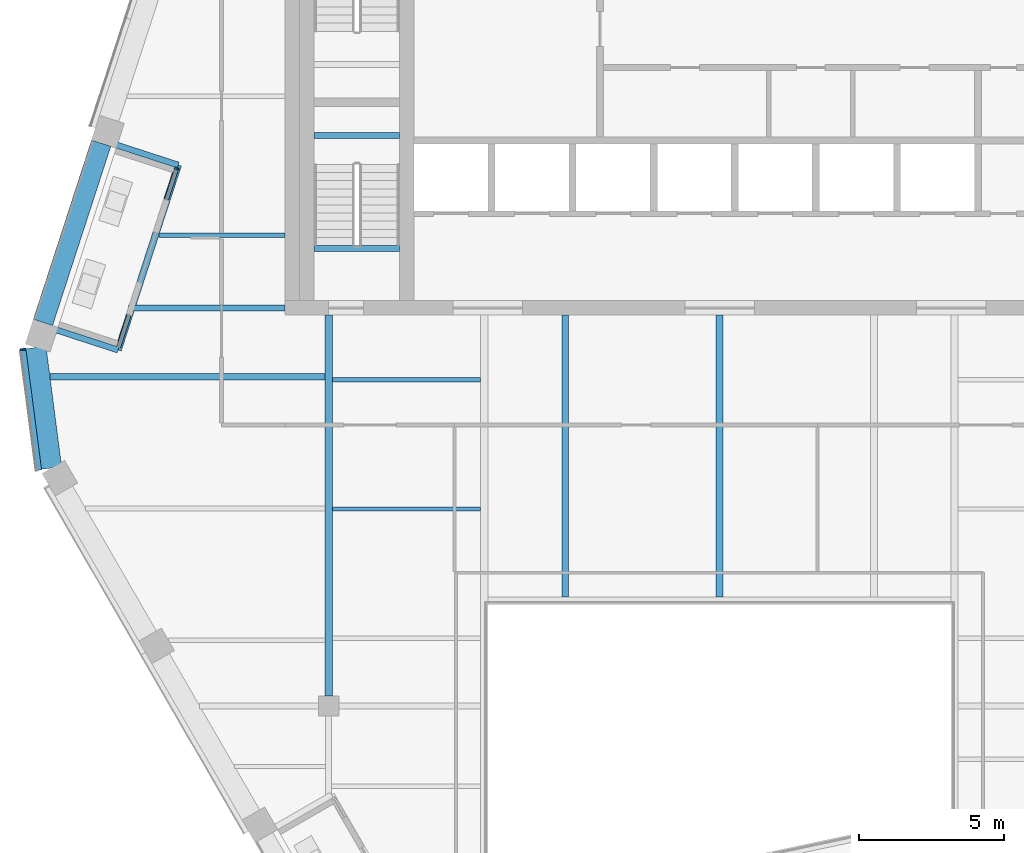
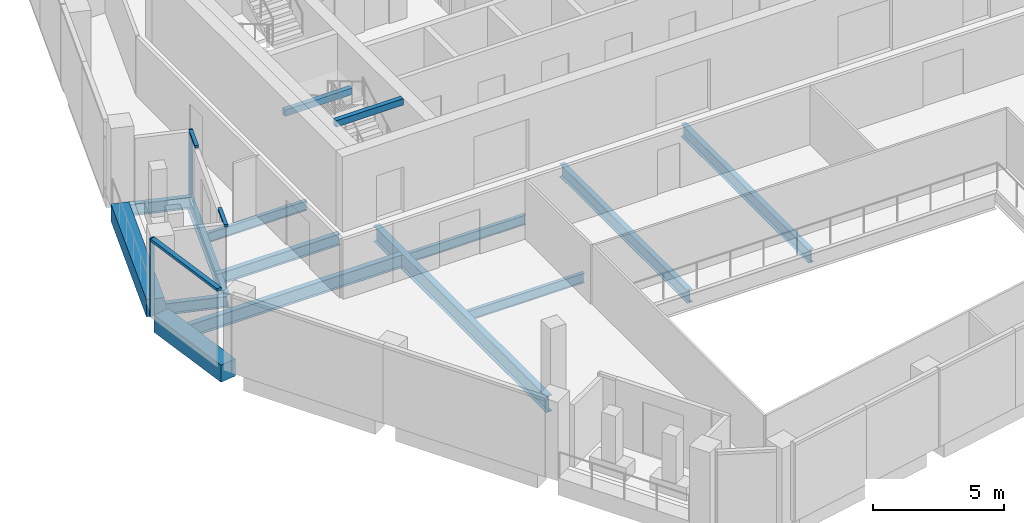
# One storey, part 4 of 20: 15 beams, 5 members, 2 elements without a shape of their own.
"""IFC4 building model written with IfcOpenShell, lengths in metres."""

from ifc_helpers import new_model, si_unit, direction, frame, origin, origin_2d, place, context, subcontext, project, spatial, rectangle, i_section, extrude, material, layer, layer_set, material_profile, profile_set, type_object, element, aggregate, save


model = new_model("IFC4")

# Units and contexts
model_context = context("Model", 3, precision=1e-05, world=origin(), true_north=direction((0.0, 1.0)))
body_context = subcontext(model_context, "Body", "Model", "MODEL_VIEW")
ifc_project = project(units=[si_unit("LENGTHUNIT", "METRE"), si_unit("AREAUNIT", "SQUARE_METRE"), si_unit("VOLUMEUNIT", "CUBIC_METRE"), si_unit("PLANEANGLEUNIT", "RADIAN"), si_unit("MASSUNIT", "GRAM", prefix="KILO")], contexts=[model_context])

# Site, building, storey
site_placement = place(None, origin())
site = spatial("IfcSite", under=ifc_project, at=site_placement, CompositionType="ELEMENT")
building_placement = place(site_placement, origin())
building = spatial("IfcBuilding", under=site, at=building_placement, Name="Isthmus Gate Tower", CompositionType="ELEMENT")
storey_placement = place(building_placement, frame((0.0, 0.0, 279.199951171875)))
storey = spatial("IfcBuildingStorey", under=building, at=storey_placement, Name="L71", CompositionType="ELEMENT", Elevation=279.199951171875)

# Curtain wall, members
ifc_material_1 = material(Name="Aluminium, pale champagne anodised", Category="aluminium")
ifc_layer_1 = layer(ifc_material_1, 0.199951171875)
ifc_layer_set_1 = layer_set([ifc_layer_1], Name="CW-1 UNITISED CURTAIN WALL 200 DEEP")
curtain_wall_type_1 = type_object("IfcCurtainWallType", Name="CW-1 UNITISED CURTAIN WALL 200 DEEP", PredefinedType="NOTDEFINED", material=ifc_layer_set_1)
curtain_wall_1_placement = place(storey_placement, origin())
curtain_wall_1 = element("IfcCurtainWall", 1, at=curtain_wall_1_placement, inside=storey, type_object=curtain_wall_type_1, Name="CW-1 NW-SW L71", PredefinedType="NOTDEFINED")
ifc_material_2 = material(Name="Aluminium, pale champagne anodised", Category="aluminium")
ifc_material_profile_1 = material_profile(ifc_material_2, rectangle(XDim=0.06005859375, YDim=0.199951171875, at=origin_2d()), Name="60x200")
ifc_profile_set_1 = profile_set([ifc_material_profile_1], Name="Aluminium, pale champagne anodised")
member_type_1 = type_object("IfcMemberType", Name="CW-1 MULLION 60 X 200", PredefinedType="MULLION", material=ifc_profile_set_1)
member_1_placement = place(storey_placement, frame((-24.0576171875, -1.18603515625, 0.0), z_axis=(0.0, 0.0, 1.0), x_axis=(0.129164534, -0.991623175988, 0.0)))
member_1 = element("IfcMember", 2, at=member_1_placement, type_object=member_type_1, Name="CW-1 mullion", PredefinedType="MULLION", context=body_context, shape_type="SweptSolid", body=[
    extrude(rectangle(XDim=0.06005859375, YDim=0.199951171875, at=origin_2d()), origin(), (0.0, 0.0, 1.0), 3.650146484375),
])
ifc_material_3 = material(Name="Aluminium, pale champagne anodised", Category="aluminium")
ifc_material_profile_2 = material_profile(ifc_material_3, rectangle(XDim=0.199951171875, YDim=0.1298828125, at=origin_2d()), Name="200x130")
ifc_profile_set_2 = profile_set([ifc_material_profile_2], Name="Aluminium, pale champagne anodised")
member_type_2 = type_object("IfcMemberType", Name="CW-1 TRANSOM 200 X 130", PredefinedType="USERDEFINED", material=ifc_profile_set_2)
member_2_placement = place(storey_placement, frame((-24.0537109375, -1.215576171875, 3.5849609375), z_axis=(0.129149481977, -0.991625136483, 0.0), x_axis=(0.991625136483, 0.129149481977, 0.0)))
member_2 = element("IfcMember", 3, at=member_2_placement, type_object=member_type_2, Name="CW-1 transom", ObjectType="TRANSOM", PredefinedType="USERDEFINED", context=body_context, shape_type="SweptSolid", body=[
    extrude(rectangle(XDim=0.199951171875, YDim=0.1298828125, at=origin_2d()), origin(), (0.0, 0.0, 1.0), 4.181396484375),
])
aggregate(curtain_wall_1, [member_1, member_2])

ifc_material_4 = material(Name="Aluminium, pale champagne anodised", Category="aluminium")
ifc_layer_2 = layer(ifc_material_4, 0.14990234375)
ifc_layer_set_2 = layer_set([ifc_layer_2], Name="CW-6 LOGGIA BACK WALL GLAZING 150 DEEP")
curtain_wall_type_2 = type_object("IfcCurtainWallType", Name="CW-6 LOGGIA BACK WALL GLAZING 150 DEEP", PredefinedType="NOTDEFINED", material=ifc_layer_set_2)
curtain_wall_2_placement = place(storey_placement, origin())
curtain_wall_2 = element("IfcCurtainWall", 4, at=curtain_wall_2_placement, inside=storey, type_object=curtain_wall_type_2, Name="CW-6 NW L71", PredefinedType="NOTDEFINED")
ifc_material_5 = material(Name="Aluminium, pale champagne anodised", Category="aluminium")
ifc_material_profile_3 = material_profile(ifc_material_5, rectangle(XDim=0.06005859375, YDim=0.14990234375, at=origin_2d()), Name="60x150")
ifc_profile_set_3 = profile_set([ifc_material_profile_3], Name="Aluminium, pale champagne anodised")
member_type_3 = type_object("IfcMemberType", Name="CW-6 MULLION 60 X 150", PredefinedType="MULLION", material=ifc_profile_set_3)
member_3_placement = place(storey_placement, frame((-18.7529296875, 5.055908203125, 0.0), z_axis=(0.0, 0.0, 1.0), x_axis=(-0.309016994375, -0.951056516295, 0.0)))
member_3 = element("IfcMember", 5, at=member_3_placement, type_object=member_type_3, Name="CW-6 mullion", PredefinedType="MULLION", context=body_context, shape_type="SweptSolid", body=[
    extrude(rectangle(XDim=0.06005859375, YDim=0.14990234375, at=origin_2d()), origin(), (0.0, 0.0, 1.0), 3.050048828125),
])
ifc_material_6 = material(Name="Aluminium, pale champagne anodised", Category="aluminium")
ifc_material_profile_4 = material_profile(ifc_material_6, rectangle(XDim=0.14990234375, YDim=0.1201171875, at=origin_2d()), Name="150x120")
ifc_profile_set_4 = profile_set([ifc_material_profile_4], Name="Aluminium, pale champagne anodised")
member_type_4 = type_object("IfcMemberType", Name="CW-6 TRANSOM 150 X 120", PredefinedType="USERDEFINED", material=ifc_profile_set_4)
member_4_placement = place(storey_placement, frame((-18.76220703125, 5.02734375, 2.989990234375), z_axis=(-0.309050727458, -0.951045555091, 0.0), x_axis=(0.951045555091, -0.309050727458, 0.0)))
member_4 = element("IfcMember", 6, at=member_4_placement, type_object=member_type_4, Name="CW-6 transom", ObjectType="TRANSOM", PredefinedType="USERDEFINED", context=body_context, shape_type="SweptSolid", body=[
    extrude(rectangle(XDim=0.14990234375, YDim=0.1201171875, at=origin_2d()), origin(), (0.0, 0.0, 1.0), 1.09326171875),
])
member_5_placement = place(storey_placement, frame((-20.39794921875, -0.0068359375, 2.989990234375), z_axis=(-0.30904299549, -0.951048067628, 0.0), x_axis=(0.951048067628, -0.30904299549, 0.0)))
member_5 = element("IfcMember", 7, at=member_5_placement, type_object=member_type_4, Name="CW-6 transom", ObjectType="TRANSOM", PredefinedType="USERDEFINED", context=body_context, shape_type="SweptSolid", body=[
    extrude(rectangle(XDim=0.14990234375, YDim=0.1201171875, at=origin_2d()), origin(), (0.0, 0.0, 1.0), 1.1533203125),
])
aggregate(curtain_wall_2, [member_3, member_4, member_5])

# Beams
ifc_material_7 = material(Name="Concrete f'c 50 MPa", Category="concrete")
ifc_material_profile_5 = material_profile(ifc_material_7, rectangle(XDim=0.699951171875, YDim=0.800048828125, at=origin_2d()), Name="RC 700X800")
ifc_profile_set_5 = profile_set([ifc_material_profile_5], Name="Concrete f'c 50 MPa")
beam_type_1 = type_object("IfcBeamType", Name="RC SPANDREL 700 X 800", PredefinedType="SPANDREL", material=ifc_profile_set_5)
beam_1_placement = place(storey_placement, frame((-23.070068359375, -5.283447265625, -0.39990234375), z_axis=(-0.129137748309, 0.991626664608, 0.0), x_axis=(-0.991626664608, -0.129137748309, 0.0)))
element("IfcBeam", 8, at=beam_1_placement, inside=storey, type_object=beam_type_1, Name="str-spandrel-L71-16", PredefinedType="SPANDREL", context=body_context, shape_type="SweptSolid", body=[
    extrude(rectangle(XDim=0.699951171875, YDim=0.800048828125, at=origin_2d()), origin(), (0.0, 0.0, 1.0), 4.197021484375),
])
beam_2_placement = place(storey_placement, frame((-23.36962890625, -0.254150390625, -0.39990234375), z_axis=(0.30901480678, 0.951057227085, 0.0), x_axis=(-0.951057227085, 0.30901480678, 0.0)))
element("IfcBeam", 9, at=beam_2_placement, inside=storey, type_object=beam_type_1, Name="str-spandrel-L71-17", PredefinedType="SPANDREL", context=body_context, shape_type="SweptSolid", body=[
    extrude(rectangle(XDim=0.699951171875, YDim=0.800048828125, at=origin_2d()), origin(), (0.0, 0.0, 1.0), 6.5068359375),
])
ifc_material_8 = material(Name="Concrete f'c 40 MPa", Category="concrete")
ifc_material_profile_6 = material_profile(ifc_material_8, rectangle(XDim=0.199951171875, YDim=0.300048828125, at=origin_2d()), Name="STAIR LANDING BEAM RC 200 X 300")
ifc_profile_set_6 = profile_set([ifc_material_profile_6], Name="Concrete f'c 40 MPa")
beam_type_2 = type_object("IfcBeamType", Name="STAIR LANDING BEAM RC 200 X 300", PredefinedType="BEAM", material=ifc_profile_set_6)
for number, where, z_axis, x_axis, name in (
    (10, (-14.0, 6.199951171875, 1.47509765625), (1.0, 0.0, 0.0), (0.0, 1.0, 0.0), "L71 ST7 landing beam 1"),
    (11, (-14.0, 2.2998046875, 3.35009765625), (1.0, 0.0, 0.0), (0.0, 1.0, 0.0), "L71 ST7 floor-edge seat beam"),
):
    element("IfcBeam", number, at=place(storey_placement, frame(where, z_axis=z_axis, x_axis=x_axis)), inside=storey, type_object=beam_type_2, Name=name, PredefinedType="BEAM", context=body_context, shape_type="SweptSolid", body=[
        extrude(rectangle(XDim=0.199951171875, YDim=0.300048828125, at=origin_2d()), origin(), (0.0, 0.0, 1.0), 2.949951171875),
    ])
ifc_material_9 = material(Name="Structural steel ASTM A992 Gr 50", Category="steel")
ifc_material_profile_7 = material_profile(ifc_material_9, i_section(OverallWidth=0.15234375, OverallDepth=0.45068359375, WebThickness=0.0078125, FlangeThickness=0.010986328125, at=origin_2d()), Name="W18X35")
ifc_profile_set_7 = profile_set([ifc_material_profile_7], Name="Structural steel ASTM A992 Gr 50")
beam_type_3 = type_object("IfcBeamType", Name="STEEL FLOOR BEAM W18X35", PredefinedType="JOIST", material=ifc_profile_set_7)
beam_3_placement = place(storey_placement, frame((-19.365478515625, 2.75390625, -0.375244140625), z_axis=(1.0, 0.0, 0.0), x_axis=(0.0, 1.0, 0.0)))
element("IfcBeam", 12, at=beam_3_placement, inside=storey, type_object=beam_type_3, Name="str-beam-L71-02-00", PredefinedType="JOIST", context=body_context, shape_type="SweptSolid", body=[
    extrude(i_section(OverallWidth=0.15234375, OverallDepth=0.45068359375, WebThickness=0.0078125, FlangeThickness=0.010986328125, at=origin_2d()), origin(), (0.0, 0.0, 1.0), 4.365478515625),
])
for number, where, z_axis, x_axis, name in (
    (13, (-13.3681640625, -6.697509765625, -0.375244140625), (1.0, 0.0, 0.0), (0.0, 1.0, 0.0), "str-beam-L71-05-01"),
    (14, (-13.3681640625, -2.232421875, -0.375244140625), (1.0, 0.0, 0.0), (0.0, 1.0, 0.0), "str-beam-L71-05-02"),
):
    element("IfcBeam", number, at=place(storey_placement, frame(where, z_axis=z_axis, x_axis=x_axis)), inside=storey, type_object=beam_type_3, Name=name, PredefinedType="JOIST", context=body_context, shape_type="SweptSolid", body=[
        extrude(i_section(OverallWidth=0.15234375, OverallDepth=0.45068359375, WebThickness=0.0078125, FlangeThickness=0.010986328125, at=origin_2d()), origin(), (0.0, 0.0, 1.0), 5.1142578125),
    ])
ifc_material_10 = material(Name="Structural steel ASTM A992 Gr 50", Category="steel")
ifc_material_profile_8 = material_profile(ifc_material_10, i_section(OverallWidth=0.228515625, OverallDepth=0.603271484375, WebThickness=0.010986328125, FlangeThickness=0.014404296875, at=origin_2d()), Name="W24X68")
ifc_profile_set_8 = profile_set([ifc_material_profile_8], Name="Structural steel ASTM A992 Gr 50")
beam_type_4 = type_object("IfcBeamType", Name="STEEL FLOOR BEAM W24X68", PredefinedType="JOIST", material=ifc_profile_set_8)
beam_4_placement = place(storey_placement, frame((-23.1279296875, -2.12890625, -0.45166015625), z_axis=(1.0, 0.0, 0.0), x_axis=(0.0, 1.0, 0.0)))
element("IfcBeam", 15, at=beam_4_placement, inside=storey, type_object=beam_type_4, Name="str-beam-L71-01-02", PredefinedType="JOIST", context=body_context, shape_type="SweptSolid", body=[
    extrude(i_section(OverallWidth=0.228515625, OverallDepth=0.603271484375, WebThickness=0.010986328125, FlangeThickness=0.014404296875, at=origin_2d()), origin(), (0.0, 0.0, 1.0), 9.49609375),
])
for number, where, z_axis, x_axis, name in (
    (16, (-5.333251953125, -9.7333984375, -0.45166015625), (0.0, 1.0, 0.0), (-1.0, 0.0, 0.0), "str-beam-L71-10-00"),
    (17, (0.0, -9.7333984375, -0.45166015625), (0.0, 1.0, 0.0), (-1.0, 0.0, 0.0), "str-beam-L71-10-01"),
):
    element("IfcBeam", number, at=place(storey_placement, frame(where, z_axis=z_axis, x_axis=x_axis)), inside=storey, type_object=beam_type_4, Name=name, PredefinedType="JOIST", context=body_context, shape_type="SweptSolid", body=[
        extrude(i_section(OverallWidth=0.228515625, OverallDepth=0.603271484375, WebThickness=0.010986328125, FlangeThickness=0.014404296875, at=origin_2d()), origin(), (0.0, 0.0, 1.0), 9.7333984375),
    ])
ifc_material_11 = material(Name="Structural steel ASTM A992 Gr 50", Category="steel")
ifc_material_profile_9 = material_profile(ifc_material_11, i_section(OverallWidth=0.20947265625, OverallDepth=0.533447265625, WebThickness=0.009521484375, FlangeThickness=0.015869140625, at=origin_2d()), Name="W21X62")
ifc_profile_set_9 = profile_set([ifc_material_profile_9], Name="Structural steel ASTM A992 Gr 50")
beam_type_5 = type_object("IfcBeamType", Name="STEEL GIRDER W21X62", PredefinedType="BEAM", material=ifc_profile_set_9)
beam_5_placement = place(storey_placement, frame((-15.0, 0.25, -0.416748046875), z_axis=(-1.0, 0.0, 0.0), x_axis=(0.0, -1.0, 0.0)))
element("IfcBeam", 18, at=beam_5_placement, inside=storey, type_object=beam_type_5, Name="str-girder-L71-09", PredefinedType="BEAM", context=body_context, shape_type="SweptSolid", body=[
    extrude(i_section(OverallWidth=0.20947265625, OverallDepth=0.533447265625, WebThickness=0.009521484375, FlangeThickness=0.015869140625, at=origin_2d()), origin(), (0.0, 0.0, 1.0), 5.41943359375),
])
ifc_material_12 = material(Name="Structural steel ASTM A992 Gr 50", Category="steel")
ifc_material_profile_10 = material_profile(ifc_material_12, i_section(OverallWidth=0.263427734375, OverallDepth=0.749267578125, WebThickness=0.0126953125, FlangeThickness=0.015869140625, at=origin_2d()), Name="W30X90")
ifc_profile_set_10 = profile_set([ifc_material_profile_10], Name="Structural steel ASTM A992 Gr 50")
beam_type_6 = type_object("IfcBeamType", Name="STEEL GIRDER W30X90", PredefinedType="BEAM", material=ifc_profile_set_10)
beam_6_placement = place(storey_placement, frame((-13.5, -13.14990234375, -0.524658203125), z_axis=(0.0, 1.0, 0.0), x_axis=(-1.0, 0.0, 0.0)))
element("IfcBeam", 19, at=beam_6_placement, inside=storey, type_object=beam_type_6, Name="str-girder-L71-06", PredefinedType="BEAM", context=body_context, shape_type="SweptSolid", body=[
    extrude(i_section(OverallWidth=0.263427734375, OverallDepth=0.749267578125, WebThickness=0.0126953125, FlangeThickness=0.015869140625, at=origin_2d()), origin(), (0.0, 0.0, 1.0), 13.14990234375),
])
ifc_material_13 = material(Name="Structural steel ASTM A992 Gr 50", Category="steel")
ifc_material_profile_11 = material_profile(ifc_material_13, i_section(OverallWidth=0.20947265625, OverallDepth=0.533447265625, WebThickness=0.009521484375, FlangeThickness=0.015869140625, at=origin_2d()), Name="W21X62")
ifc_profile_set_11 = profile_set([ifc_material_profile_11], Name="Structural steel ASTM A992 Gr 50")
beam_type_7 = type_object("IfcBeamType", Name="STEEL TRIMMER W21X62", PredefinedType="BEAM", material=ifc_profile_set_11)
for number, where, z_axis, x_axis, name in (
    (20, (-20.99365234375, 5.92578125, -0.416748046875), (0.951052645113, -0.309028908396, 0.0), (0.309028908396, 0.951052645113, 0.0), "str-loggiatrim-L71-02-A"),
    (21, (-23.069091796875, -0.4619140625, -0.416748046875), (0.951052645113, -0.309028908396, 0.0), (0.309028908396, 0.951052645113, 0.0), "str-loggiatrim-L71-02-C"),
):
    element("IfcBeam", number, at=place(storey_placement, frame(where, z_axis=z_axis, x_axis=x_axis)), inside=storey, type_object=beam_type_7, Name=name, PredefinedType="BEAM", context=body_context, shape_type="SweptSolid", body=[
        extrude(i_section(OverallWidth=0.20947265625, OverallDepth=0.533447265625, WebThickness=0.009521484375, FlangeThickness=0.015869140625, at=origin_2d()), origin(), (0.0, 0.0, 1.0), 2.414306640625),
    ])
ifc_material_14 = material(Name="Structural steel ASTM A992 Gr 50", Category="steel")
ifc_material_profile_12 = material_profile(ifc_material_14, i_section(OverallWidth=0.228515625, OverallDepth=0.603271484375, WebThickness=0.010986328125, FlangeThickness=0.014404296875, at=origin_2d()), Name="W24X68")
ifc_profile_set_12 = profile_set([ifc_material_profile_12], Name="Structural steel ASTM A992 Gr 50")
beam_type_8 = type_object("IfcBeamType", Name="STEEL TRIMMER W24X68", PredefinedType="BEAM", material=ifc_profile_set_12)
beam_7_placement = place(storey_placement, frame((-18.697509765625, 5.1796875, -0.45166015625), z_axis=(-0.309010453717, -0.951058641459, 0.0), x_axis=(0.951058641459, -0.309010453717, 0.0)))
element("IfcBeam", 22, at=beam_7_placement, inside=storey, type_object=beam_type_8, Name="str-loggiatrim-L71-02-B", PredefinedType="BEAM", context=body_context, shape_type="SweptSolid", body=[
    extrude(i_section(OverallWidth=0.228515625, OverallDepth=0.603271484375, WebThickness=0.010986328125, FlangeThickness=0.014404296875, at=origin_2d()), origin(), (0.0, 0.0, 1.0), 6.71630859375),
])

save(model, "model.ifc")
